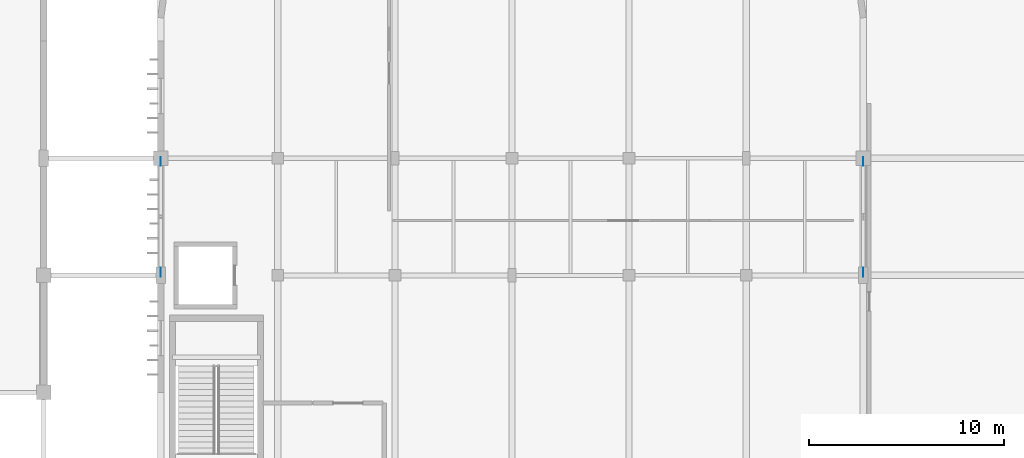
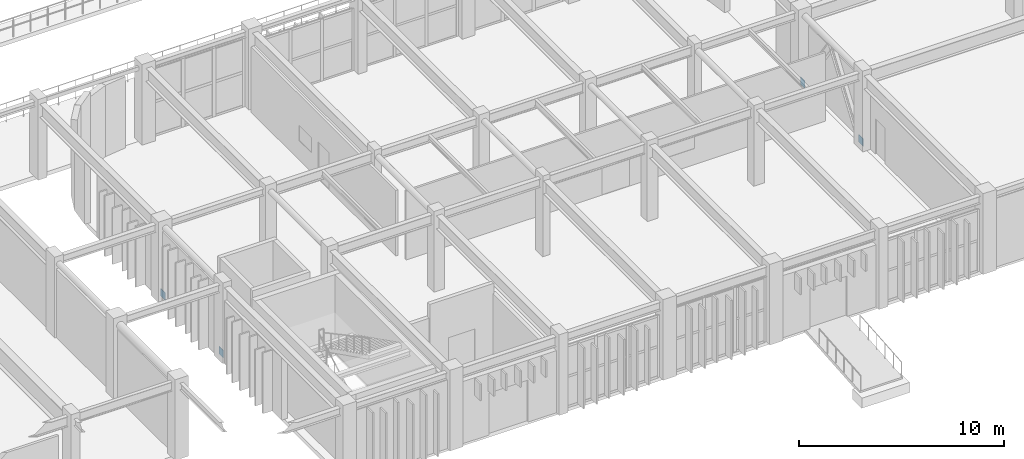
# One storey, part 60 of 76: 4 discrete accessories.
"""IFC4 building model written with IfcOpenShell, lengths in metres."""

import ifcopenshell
import ifcopenshell.guid

model = None  # the IFC model being written
_history = None  # IfcOwnerHistory: only IFC2X3 demands one
_inside = {}  # id of a spatial element -> (the spatial element, [elements in it])
_under = {}  # id of a project, library or spatial element -> (it, [spatial elements below it])
_declared = {}  # id of a project -> (the project, [libraries it declares])
_typed = {}  # id of a type object -> (the type object, [elements of that type])
_made_of = {}  # id of a material, layer set ... -> (it, [elements and type objects made of it])


def new_model(schema):
    """Start an empty IFC model of exactly this schema.

    Asked for "IFC4X3", IfcOpenShell would pick the latest addendum, in which some entities
    have other attributes; the version numbers below select the first issue.
    IFC2X3 requires an IfcOwnerHistory on every rooted entity: one is made here for all.
    """
    global model, _history
    if schema == "IFC4X3":
        model = ifcopenshell.file(schema_version=(4, 3, 0, 0))
    else:
        model = ifcopenshell.file(schema=schema)
    _inside.clear()
    _under.clear()
    _declared.clear()
    _typed.clear()
    _made_of.clear()
    _history = None
    if model.schema == "IFC2X3":
        org = make("IfcOrganization", Name="unknown")
        user = make(
            "IfcPersonAndOrganization",
            ThePerson=make("IfcPerson", FamilyName="unknown"),
            TheOrganization=org,
        )
        app = make(
            "IfcApplication",
            ApplicationDeveloper=org,
            Version="unknown",
            ApplicationFullName="unknown",
            ApplicationIdentifier="unknown",
        )
        _history = make(
            "IfcOwnerHistory",
            OwningUser=user,
            OwningApplication=app,
            ChangeAction="ADDED",
            CreationDate=0,
        )
    return model


def make(cls, **values):
    """One entity of the class cls with the attributes given. An attribute that is None is left unset."""
    return model.create_entity(
        cls, **{name: value for name, value in values.items() if value is not None}
    )


def rooted(cls, **values):
    """An entity with a GlobalId (a new one), such as an element, a storey or a relation."""
    return make(cls, GlobalId=ifcopenshell.guid.new(), OwnerHistory=_history, **values)


def si_unit(unit_type, name, prefix=None):
    """IfcSIUnit, for example si_unit("LENGTHUNIT", "METRE", prefix="MILLI")."""
    return make("IfcSIUnit", UnitType=unit_type, Prefix=prefix, Name=name)


def assignment(units):
    """IfcUnitAssignment: the units of a project."""
    return None if units is None else make("IfcUnitAssignment", Units=units)


def point(xyz):
    """IfcCartesianPoint."""
    return None if xyz is None else make("IfcCartesianPoint", Coordinates=xyz)


def direction(xyz):
    """IfcDirection."""
    return None if xyz is None else make("IfcDirection", DirectionRatios=xyz)


def frame(location, z_axis=None, x_axis=None):
    """IfcAxis2Placement3D, a coordinate frame: its origin and axes. An axis left out is left unset."""
    return make(
        "IfcAxis2Placement3D",
        Location=point(location),
        Axis=direction(z_axis),
        RefDirection=direction(x_axis),
    )


def frame_2d(location, x_axis=None):
    """IfcAxis2Placement2D, a coordinate frame in the plane: its origin and x axis."""
    return make(
        "IfcAxis2Placement2D", Location=point(location), RefDirection=direction(x_axis)
    )


def origin():
    """The frame at (0, 0, 0) with its axes left unset."""
    return frame((0.0, 0.0, 0.0))


def origin_2d():
    """The frame at (0, 0) in the plane with its x axis left unset."""
    return frame_2d((0.0, 0.0))


def place(relative_to, where):
    """IfcLocalPlacement: puts the frame where relative to a parent placement (None: the world)."""
    return make(
        "IfcLocalPlacement", PlacementRelTo=relative_to, RelativePlacement=where
    )


def context(
    kind, dimensions, precision=None, world=None, true_north=None, identifier=None
):
    """IfcGeometricRepresentationContext, for example the 3D "Model" context."""
    return make(
        "IfcGeometricRepresentationContext",
        ContextIdentifier=identifier,
        ContextType=kind,
        CoordinateSpaceDimension=dimensions,
        Precision=precision,
        WorldCoordinateSystem=world,
        TrueNorth=true_north,
    )


def subcontext(parent, identifier, kind, view, scale=None):
    """IfcGeometricRepresentationSubContext, for example "Body" below "Model"."""
    return make(
        "IfcGeometricRepresentationSubContext",
        ContextIdentifier=identifier,
        ContextType=kind,
        ParentContext=parent,
        TargetScale=scale,
        TargetView=view,
    )


def project(units=None, contexts=None):
    """IfcProject with its units and contexts."""
    return rooted(
        "IfcProject",
        Name="project",
        RepresentationContexts=contexts,
        UnitsInContext=assignment(units),
    )


def spatial(cls, under=None, at=None, **own):
    """A site, building, storey or space (cls), placed at a placement, below another one or the project."""
    s = rooted(cls, ObjectPlacement=at, **own)
    if under is not None:
        _under.setdefault(under.id(), (under, []))[1].append(s)
    return s


def profile(cls, at=None, kind="AREA", **sizes):
    """A parametric profile (cls). Its sizes go by their IFC names, for example OverallWidth=200.0."""
    return make(cls, ProfileType=kind, Position=at, **sizes)


def rectangle(**sizes):
    """IfcRectangleProfileDef."""
    return profile("IfcRectangleProfileDef", **sizes)


def extrude(swept, where, along, depth):
    """IfcExtrudedAreaSolid: the profile swept, set in the frame where, extruded along a direction by depth."""
    return make(
        "IfcExtrudedAreaSolid",
        SweptArea=swept,
        Position=where,
        ExtrudedDirection=direction(along),
        Depth=depth,
    )


def shape(context_of_items, identifier, shape_type, items):
    """IfcShapeRepresentation: the items that make up one representation, for example the "Body"."""
    return make(
        "IfcShapeRepresentation",
        ContextOfItems=context_of_items,
        RepresentationIdentifier=identifier,
        RepresentationType=shape_type,
        Items=items,
    )


def material(Name=None, Category=None):
    """IfcMaterial."""
    return make("IfcMaterial", Name=Name, Category=Category)


def layer(
    of_material, thickness, ventilated=None, Name=None, Category=None, Priority=None
):
    """IfcMaterialLayer: one layer of a wall or slab, of a material (None: an air gap)."""
    return make(
        "IfcMaterialLayer",
        Material=of_material,
        LayerThickness=thickness,
        IsVentilated=ventilated,
        Name=Name,
        Category=Category,
        Priority=Priority,
    )


def layer_set(layers, Name=None):
    """IfcMaterialLayerSet."""
    return make("IfcMaterialLayerSet", MaterialLayers=layers, LayerSetName=Name)


def made_of(thing, what):
    """Note that an element or type object is made of a material, layer set ...; save() writes the relation."""
    if what is not None:
        _made_of.setdefault(what.id(), (what, []))[1].append(thing)
    return thing


def type_object(cls, material=None, **own):
    """A type object (cls), such as IfcWallType, which elements share."""
    return made_of(rooted(cls, **own), material)


def element(
    cls,
    number,
    at=None,
    inside=None,
    cuts=None,
    type_object=None,
    material=None,
    context=None,
    identifier="Body",
    shape_type=None,
    held_by="IfcProductDefinitionShape",
    body=None,
    shapes=None,
    **own,
):
    """One element of the class cls, such as IfcWall. Its Tag is "e" and its number.

    at: its placement. inside: the storey or other place that contains it. cuts: it is an
    opening in that element (IfcRelVoidsElement). A single representation is given by context,
    identifier, shape_type and body (its items); several are given by shapes. held_by: the class
    of the entity that holds the representations. save() writes the other relations.
    """
    e = rooted(cls, Tag="e%d" % number, ObjectPlacement=at, **own)
    if body is not None:
        shapes = [shape(context, identifier, shape_type, body)]
    if shapes is not None:
        e.Representation = make(held_by, Representations=shapes)
    if inside is not None:
        _inside.setdefault(inside.id(), (inside, []))[1].append(e)
    if cuts is not None:
        rooted(
            "IfcRelVoidsElement", RelatingBuildingElement=cuts, RelatedOpeningElement=e
        )
    if type_object is not None:
        _typed.setdefault(type_object.id(), (type_object, []))[1].append(e)
    return made_of(e, material)


def aggregate(whole, parts):
    """IfcRelAggregates: a whole, such as a stair, and the parts it consists of."""
    return rooted("IfcRelAggregates", RelatingObject=whole, RelatedObjects=parts)


def save(model, path):
    """Write the relations noted so far, then the file.

    IfcRelAggregates (storeys below a building ...), IfcRelContainedInSpatialStructure (elements
    in a storey), IfcRelDefinesByType, IfcRelAssociatesMaterial and IfcRelDeclares: one each for
    every whole, place, type object, material and project.
    """
    for whole, parts in _under.values():
        aggregate(whole, parts)
    for where, things in _inside.values():
        rooted(
            "IfcRelContainedInSpatialStructure",
            RelatedElements=things,
            RelatingStructure=where,
        )
    for kind, things in _typed.values():
        rooted("IfcRelDefinesByType", RelatedObjects=things, RelatingType=kind)
    for what, things in _made_of.values():
        rooted("IfcRelAssociatesMaterial", RelatedObjects=things, RelatingMaterial=what)
    for by, libraries in _declared.values():
        rooted("IfcRelDeclares", RelatingContext=by, RelatedDefinitions=libraries)
    model.write(path)


model = new_model("IFC4")

# Units and contexts
model_context = context("Model", 3, precision=1e-05, world=origin(), true_north=direction((0.0, 1.0)))
body_context = subcontext(model_context, "Body", "Model", "MODEL_VIEW")
ifc_project = project(units=[si_unit("LENGTHUNIT", "METRE"), si_unit("AREAUNIT", "SQUARE_METRE"), si_unit("VOLUMEUNIT", "CUBIC_METRE"), si_unit("PLANEANGLEUNIT", "RADIAN"), si_unit("MASSUNIT", "GRAM", prefix="KILO")], contexts=[model_context])

# Site, building, storey
site_placement = place(None, origin())
site = spatial("IfcSite", under=ifc_project, at=site_placement, CompositionType="ELEMENT")
building_placement = place(site_placement, origin())
building = spatial("IfcBuilding", under=site, at=building_placement, Name="Varnakota Square Police Headquarters", CompositionType="ELEMENT")
storey_placement = place(building_placement, origin())
storey = spatial("IfcBuildingStorey", under=building, at=storey_placement, Name="L00", CompositionType="ELEMENT", Elevation=0.0)

# Discrete accessories
ifc_material = material(Name="Steel IS 2062 Grade 350", Category="steel")
ifc_layer = layer(ifc_material, 0.64990234375, Name="Steel IS 2062 Grade 350")
ifc_layer_set = layer_set([ifc_layer], Name="Steel IS 2062 Grade 350")
discrete_accessory_type = type_object("IfcDiscreteAccessoryType", Name="ACC-EMB-350", PredefinedType="BRACKET", material=ifc_layer_set)
for number, where, z_axis, x_axis, name in (
    (1, (60.0, 81.159912109375, 0.02490234375), (0.0, 0.0, 1.0), (0.0, 1.0, 0.0), "Brace gusset connection plate BF5 L00 L"),
    (2, (60.0, 86.840087890625, 0.02490234375), (0.0, 0.0, 1.0), (0.0, 1.0, 0.0), "Brace gusset connection plate BF5 L00 R"),
    (3, (96.0, 81.159912109375, 0.02490234375), (0.0, 0.0, 1.0), (0.0, 1.0, 0.0), "Brace gusset connection plate BF6 L00 L"),
    (4, (96.0, 86.840087890625, 0.02490234375), (0.0, 0.0, 1.0), (0.0, 1.0, 0.0), "Brace gusset connection plate BF6 L00 R"),
):
    element("IfcDiscreteAccessory", number, at=place(storey_placement, frame(where, z_axis=z_axis, x_axis=x_axis)), inside=storey, type_object=discrete_accessory_type, Name=name, PredefinedType="BRACKET", context=body_context, shape_type="SweptSolid", body=[
        extrude(rectangle(XDim=0.43994140625, YDim=0.02001953125, at=origin_2d()), origin(), (0.0, 0.0, 1.0), 0.449951171875),
    ])

save(model, "model.ifc")
